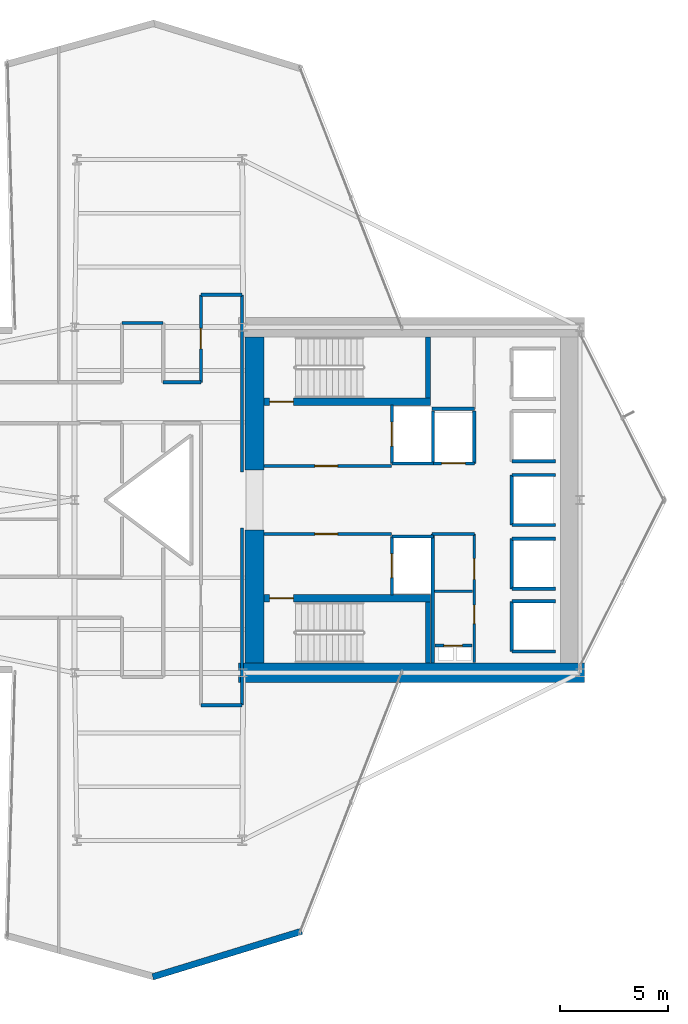
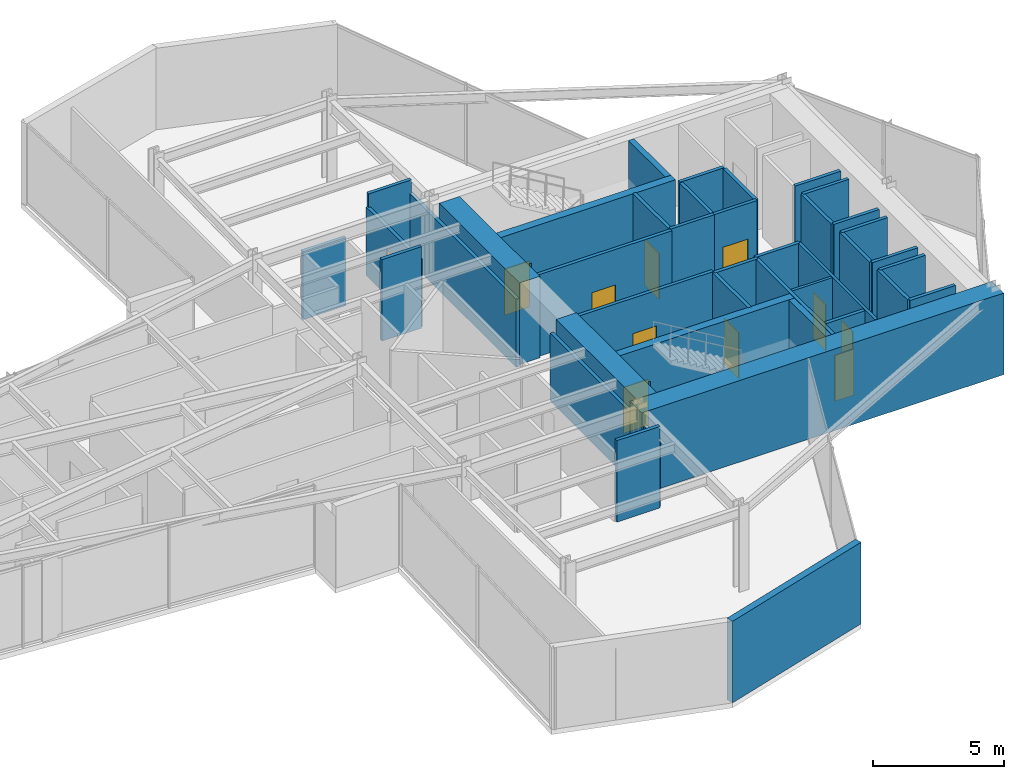
# One storey, part 28 of 30: 40 walls, 11 doors, 11 openings.
"""IFC4 building model written with IfcOpenShell, lengths in metres."""

from ifc_helpers import new_model, si_unit, direction, frame, frame_2d, origin, place, context, subcontext, project, spatial, rectangle, extrude, material, layer, layer_set, type_object, element, fill, save


model = new_model("IFC4")

# Units and contexts
model_context = context("Model", 3, precision=1e-05, world=origin(), true_north=direction((0.0, 1.0)))
body_context = subcontext(model_context, "Body", "Model", "MODEL_VIEW")
ifc_project = project(units=[si_unit("LENGTHUNIT", "METRE"), si_unit("AREAUNIT", "SQUARE_METRE"), si_unit("VOLUMEUNIT", "CUBIC_METRE"), si_unit("PLANEANGLEUNIT", "RADIAN"), si_unit("MASSUNIT", "GRAM", prefix="KILO")], contexts=[model_context])

# Site, building, storey
site_placement = place(None, origin())
site = spatial("IfcSite", under=ifc_project, at=site_placement, CompositionType="ELEMENT")
building_placement = place(site_placement, origin())
building = spatial("IfcBuilding", under=site, at=building_placement, Name="Veymaron Broadcast Tower", CompositionType="ELEMENT")
storey_placement = place(building_placement, frame((0.0, 0.0, 49.949951171875)))
storey = spatial("IfcBuildingStorey", under=building, at=storey_placement, Name="L10", CompositionType="ELEMENT", Elevation=49.949951171875)

# Wall
ifc_material_1 = material(Name="Precast concrete C40/50 with mineral-wool insulation", Category="concrete")
ifc_layer_1 = layer(ifc_material_1, 0.300048828125)
ifc_layer_set_1 = layer_set([ifc_layer_1], Name="Precast concrete C40/50 with mineral-wool insulation")
wall_type_1 = type_object("IfcWallType", Name="WALL-EXT-300", PredefinedType="STANDARD", material=ifc_layer_set_1)
wall_1_placement = place(storey_placement, frame((34.81494140625, 1.91796875, 0.0), z_axis=(0.0, 0.0, 1.0), x_axis=(0.956174816369, 0.292796380685, 0.0)))
element("IfcWall", 1, at=wall_1_placement, inside=storey, type_object=wall_type_1, Name="L10 notched corner facade pier 19-1", PredefinedType="STANDARD", context=body_context, shape_type="SweptSolid", body=[
    extrude(rectangle(XDim=7.212646484375, YDim=0.300048828125, at=frame_2d((3.6064453125, 0.0))), origin(), (0.0, 0.0, 1.0), 3.81005859375),
])

# Wall, opening, door
ifc_material_2 = material(Name="Gypsum fireboard and steel stud framing", Category="steel")
ifc_layer_2 = layer(ifc_material_2, 0.14990234375)
ifc_layer_set_2 = layer_set([ifc_layer_2], Name="Gypsum fireboard and steel stud framing")
wall_type_2 = type_object("IfcWallType", Name="WALL-FIRE-150", PredefinedType="PARTITIONING", material=ifc_layer_set_2)
wall_2_placement = place(storey_placement, frame((39.97998046875, 25.574951171875, 0.0), z_axis=(0.0, 0.0, 1.0), x_axis=(1.0, 0.0, 0.0)))
wall_2 = element("IfcWall", 2, at=wall_2_placement, inside=storey, type_object=wall_type_2, Name="L10 partition IW-L10-FFLN-S", PredefinedType="PARTITIONING", context=body_context, shape_type="SweptSolid", body=[
    extrude(rectangle(XDim=5.89990234375, YDim=0.14990234375, at=frame_2d((2.949951171875, 0.0))), origin(), (0.0, 0.0, 1.0), 3.81005859375),
])
opening_1_placement = place(wall_2_placement, frame((2.35009765625, 0.0, 0.0)))
opening_1 = element("IfcOpeningElement", 3, at=opening_1_placement, cuts=wall_2, Name="Opening ID-FL1", PredefinedType="OPENING", context=body_context, shape_type="SweptSolid", body=[
    extrude(rectangle(XDim=1.050048828125, YDim=2.14990234375, at=frame_2d((0.52490234375, 1.074951171875))), frame((0.0, 0.0849609375, 0.0), z_axis=(0.0, -1.0, 0.0), x_axis=(1.0, 0.0, 0.0)), (0.0, 0.0, 1.0), 0.169921875),
])
ifc_material_3 = material(Name="Fire-rated painted hollow steel ASTM A653", Category="steel")
door_type_1 = type_object("IfcDoorType", Name="DOOR-FIRE-1050", OperationType="NOTDEFINED", PredefinedType="DOOR", material=ifc_material_3)
door_1_placement = place(opening_1_placement, origin())
door_1 = element("IfcDoor", 4, at=door_1_placement, inside=storey, type_object=door_type_1, Name="L10 door DR-L10-FFLN", OperationType="SINGLE_SWING_LEFT", OverallHeight=2.14990234375, OverallWidth=1.050048828125, PredefinedType="DOOR", context=body_context, shape_type="SweptSolid", body=[
    extrude(rectangle(XDim=1.050048828125, YDim=2.14990234375, at=frame_2d((0.52490234375, 1.074951171875))), frame((0.0, 0.02490234375, 0.0), z_axis=(0.0, -1.0, 0.0), x_axis=(1.0, 0.0, 0.0)), (0.0, 0.0, 1.0), 0.050048828125),
])
fill(opening_1, door_1)

wall_3_placement = place(storey_placement, frame((39.97998046875, 22.425048828125, 0.0), z_axis=(0.0, 0.0, 1.0), x_axis=(1.0, 0.0, 0.0)))
wall_3 = element("IfcWall", 5, at=wall_3_placement, inside=storey, type_object=wall_type_2, Name="L10 partition IW-L10-FFLS-N", PredefinedType="PARTITIONING", context=body_context, shape_type="SweptSolid", body=[
    extrude(rectangle(XDim=5.89990234375, YDim=0.14990234375, at=frame_2d((2.949951171875, 0.0))), origin(), (0.0, 0.0, 1.0), 3.81005859375),
])
opening_2_placement = place(wall_3_placement, frame((2.35009765625, 0.0, 0.0)))
opening_2 = element("IfcOpeningElement", 6, at=opening_2_placement, cuts=wall_3, Name="Opening ID-FL1", PredefinedType="OPENING", context=body_context, shape_type="SweptSolid", body=[
    extrude(rectangle(XDim=1.050048828125, YDim=2.14990234375, at=frame_2d((0.52490234375, 1.074951171875))), frame((0.0, 0.0849609375, 0.0), z_axis=(0.0, -1.0, 0.0), x_axis=(1.0, 0.0, 0.0)), (0.0, 0.0, 1.0), 0.169921875),
])
door_2_placement = place(opening_2_placement, frame((1.050048828125, 0.0, 0.0), z_axis=(0.0, 0.0, 1.0), x_axis=(-1.0, 0.0, 0.0)))
door_2 = element("IfcDoor", 7, at=door_2_placement, inside=storey, type_object=door_type_1, Name="L10 door DR-L10-FFLS", OperationType="SINGLE_SWING_RIGHT", OverallHeight=2.14990234375, OverallWidth=1.050048828125, PredefinedType="DOOR", context=body_context, shape_type="SweptSolid", body=[
    extrude(rectangle(XDim=1.050048828125, YDim=2.14990234375, at=frame_2d((0.52490234375, 1.074951171875))), frame((0.0, 0.02490234375, 0.0), z_axis=(0.0, -1.0, 0.0), x_axis=(1.0, 0.0, 0.0)), (0.0, 0.0, 1.0), 0.050048828125),
])
fill(opening_2, door_2)

wall_4_placement = place(storey_placement, frame((45.89501953125, 25.68994140625, 0.0), z_axis=(0.0, 0.0, 1.0), x_axis=(0.0, 1.0, 0.0)))
wall_4 = element("IfcWall", 8, at=wall_4_placement, inside=storey, type_object=wall_type_2, Name="L10 partition IW-L10-SHW-FFL-1", PredefinedType="PARTITIONING", context=body_context, shape_type="SweptSolid", body=[
    extrude(rectangle(XDim=2.719970703125, YDim=0.14990234375, at=frame_2d((1.35986328125, 0.0))), origin(), (0.0, 0.0, 1.0), 3.81005859375),
])
opening_3_placement = place(wall_4_placement, frame((0.81005859375, 0.0, 0.0)))
opening_3 = element("IfcOpeningElement", 9, at=opening_3_placement, cuts=wall_4, Name="Opening LD", PredefinedType="OPENING", context=body_context, shape_type="SweptSolid", body=[
    extrude(rectangle(XDim=1.10009765625, YDim=2.14990234375, at=frame_2d((0.550048828125, 1.074951171875))), frame((0.0, 0.0849609375, 0.0), z_axis=(0.0, -1.0, 0.0), x_axis=(1.0, 0.0, 0.0)), (0.0, 0.0, 1.0), 0.169921875),
])
ifc_material_4 = material(Name="Brushed stainless steel AISI 304", Category="steel")
door_type_2 = type_object("IfcDoorType", Name="DOOR-LIFT-1100", OperationType="DOUBLE_DOOR_SLIDING", PredefinedType="DOOR", material=ifc_material_4)
door_3_placement = place(opening_3_placement, frame((1.10009765625, 0.0, 0.0), z_axis=(0.0, 0.0, 1.0), x_axis=(-1.0, 0.0, 0.0)))
door_3 = element("IfcDoor", 10, at=door_3_placement, inside=storey, type_object=door_type_2, Name="L10 door LD-L10-FFL-1", OperationType="DOUBLE_DOOR_SLIDING", OverallHeight=2.14990234375, OverallWidth=1.10009765625, PredefinedType="DOOR", context=body_context, shape_type="SweptSolid", body=[
    extrude(rectangle(XDim=1.10009765625, YDim=2.14990234375, at=frame_2d((0.550048828125, 1.074951171875))), frame((0.0, 0.02490234375, 0.0), z_axis=(0.0, -1.0, 0.0), x_axis=(1.0, 0.0, 0.0)), (0.0, 0.0, 1.0), 0.050048828125),
])
fill(opening_3, door_3)

# Wall
wall_5_placement = place(storey_placement, frame((45.89501953125, 25.68994140625, 0.0), z_axis=(0.0, 0.0, 1.0), x_axis=(1.0, 0.0, 0.0)))
element("IfcWall", 11, at=wall_5_placement, inside=storey, type_object=wall_type_2, Name="L10 partition IW-L10-SHS-FFL-1", PredefinedType="PARTITIONING", context=body_context, shape_type="SweptSolid", body=[
    extrude(rectangle(XDim=1.9150390625, YDim=0.14990234375, at=frame_2d((0.95751953125, 0.0))), origin(), (0.0, 0.0, 1.0), 3.81005859375),
])

# Wall, opening, door
wall_6_placement = place(storey_placement, frame((45.89501953125, 19.590087890625, 0.0), z_axis=(0.0, 0.0, 1.0), x_axis=(0.0, 1.0, 0.0)))
wall_6 = element("IfcWall", 12, at=wall_6_placement, inside=storey, type_object=wall_type_2, Name="L10 partition IW-L10-SHW-FFL-2", PredefinedType="PARTITIONING", context=body_context, shape_type="SweptSolid", body=[
    extrude(rectangle(XDim=2.719970703125, YDim=0.14990234375, at=frame_2d((1.35986328125, 0.0))), origin(), (0.0, 0.0, 1.0), 3.81005859375),
])
opening_4_placement = place(wall_6_placement, frame((0.81005859375, 0.0, 0.0)))
opening_4 = element("IfcOpeningElement", 13, at=opening_4_placement, cuts=wall_6, Name="Opening LD", PredefinedType="OPENING", context=body_context, shape_type="SweptSolid", body=[
    extrude(rectangle(XDim=1.10009765625, YDim=2.14990234375, at=frame_2d((0.550048828125, 1.074951171875))), frame((0.0, 0.0849609375, 0.0), z_axis=(0.0, -1.0, 0.0), x_axis=(1.0, 0.0, 0.0)), (0.0, 0.0, 1.0), 0.169921875),
])
door_4_placement = place(opening_4_placement, frame((1.10009765625, 0.0, 0.0), z_axis=(0.0, 0.0, 1.0), x_axis=(-1.0, 0.0, 0.0)))
door_4 = element("IfcDoor", 14, at=door_4_placement, inside=storey, type_object=door_type_2, Name="L10 door LD-L10-FFL-2", OperationType="DOUBLE_DOOR_SLIDING", OverallHeight=2.14990234375, OverallWidth=1.10009765625, PredefinedType="DOOR", context=body_context, shape_type="SweptSolid", body=[
    extrude(rectangle(XDim=1.10009765625, YDim=2.14990234375, at=frame_2d((0.550048828125, 1.074951171875))), frame((0.0, 0.02490234375, 0.0), z_axis=(0.0, -1.0, 0.0), x_axis=(1.0, 0.0, 0.0)), (0.0, 0.0, 1.0), 0.050048828125),
])
fill(opening_4, door_4)

# Wall
wall_7_placement = place(storey_placement, frame((45.89501953125, 22.31005859375, 0.0), z_axis=(0.0, 0.0, 1.0), x_axis=(1.0, 0.0, 0.0)))
element("IfcWall", 15, at=wall_7_placement, inside=storey, type_object=wall_type_2, Name="L10 partition IW-L10-SHN-FFL-2", PredefinedType="PARTITIONING", context=body_context, shape_type="SweptSolid", body=[
    extrude(rectangle(XDim=1.9150390625, YDim=0.14990234375, at=frame_2d((0.95751953125, 0.0))), origin(), (0.0, 0.0, 1.0), 3.81005859375),
])

# Wall, opening, door
wall_8_placement = place(storey_placement, frame((47.7900390625, 25.695068359375, 0.0), z_axis=(0.0, 0.0, 1.0), x_axis=(1.0, 0.0, 0.0)))
wall_8 = element("IfcWall", 16, at=wall_8_placement, inside=storey, type_object=wall_type_2, Name="L10 partition IW-L10-SHS-SL-1", PredefinedType="PARTITIONING", context=body_context, shape_type="SweptSolid", body=[
    extrude(rectangle(XDim=1.919921875, YDim=0.14990234375, at=frame_2d((0.9599609375, 0.0))), origin(), (0.0, 0.0, 1.0), 3.81005859375),
])
opening_5_placement = place(wall_8_placement, frame((0.409912109375, 0.0, 0.0)))
opening_5 = element("IfcOpeningElement", 17, at=opening_5_placement, cuts=wall_8, Name="Opening LD", PredefinedType="OPENING", context=body_context, shape_type="SweptSolid", body=[
    extrude(rectangle(XDim=1.10009765625, YDim=2.14990234375, at=frame_2d((0.550048828125, 1.074951171875))), frame((0.0, 0.0849609375, 0.0), z_axis=(0.0, -1.0, 0.0), x_axis=(1.0, 0.0, 0.0)), (0.0, 0.0, 1.0), 0.169921875),
])
door_5_placement = place(opening_5_placement, frame((1.10009765625, 0.0, 0.0), z_axis=(0.0, 0.0, 1.0), x_axis=(-1.0, 0.0, 0.0)))
door_5 = element("IfcDoor", 18, at=door_5_placement, inside=storey, type_object=door_type_2, Name="L10 door LD-L10-SL-1", OperationType="DOUBLE_DOOR_SLIDING", OverallHeight=2.14990234375, OverallWidth=1.10009765625, PredefinedType="DOOR", context=body_context, shape_type="SweptSolid", body=[
    extrude(rectangle(XDim=1.10009765625, YDim=2.14990234375, at=frame_2d((0.550048828125, 1.074951171875))), frame((0.0, 0.02490234375, 0.0), z_axis=(0.0, -1.0, 0.0), x_axis=(1.0, 0.0, 0.0)), (0.0, 0.0, 1.0), 0.050048828125),
])
fill(opening_5, door_5)

# Walls
for number, where, z_axis, x_axis, name in (
    (19, (47.7900390625, 25.695068359375, 0.0), (0.0, 0.0, 1.0), (0.0, 1.0, 0.0), "L10 partition IW-L10-SHW-SL-1"),
    (20, (49.7099609375, 25.695068359375, 0.0), (0.0, 0.0, 1.0), (0.0, 1.0, 0.0), "L10 partition IW-L10-SHE-SL-1"),
):
    element("IfcWall", number, at=place(storey_placement, frame(where, z_axis=z_axis, x_axis=x_axis)), inside=storey, type_object=wall_type_2, Name=name, PredefinedType="PARTITIONING", context=body_context, shape_type="SweptSolid", body=[
        extrude(rectangle(XDim=2.4150390625, YDim=0.14990234375, at=frame_2d((1.20751953125, 0.0))), origin(), (0.0, 0.0, 1.0), 3.81005859375),
    ])
wall_9_placement = place(storey_placement, frame((51.445068359375, 25.7900390625, 0.0), z_axis=(0.0, 0.0, 1.0), x_axis=(1.0, 0.0, 0.0)))
element("IfcWall", 21, at=wall_9_placement, inside=storey, type_object=wall_type_2, Name="L10 partition IW-L10-SHS-PM1", PredefinedType="PARTITIONING", context=body_context, shape_type="SweptSolid", body=[
    extrude(rectangle(XDim=2.014892578125, YDim=0.14990234375, at=frame_2d((1.00732421875, 0.0))), origin(), (0.0, 0.0, 1.0), 3.81005859375),
])
wall_10_placement = place(storey_placement, frame((51.445068359375, 19.889892578125, 0.0), z_axis=(0.0, 0.0, 1.0), x_axis=(0.0, 1.0, 0.0)))
element("IfcWall", 22, at=wall_10_placement, inside=storey, type_object=wall_type_2, Name="L10 partition IW-L10-SHW-PM2", PredefinedType="PARTITIONING", context=body_context, shape_type="SweptSolid", body=[
    extrude(rectangle(XDim=2.320068359375, YDim=0.14990234375, at=frame_2d((1.16015625, 0.0))), origin(), (0.0, 0.0, 1.0), 3.81005859375),
])
for number, where, z_axis, x_axis, name in (
    (23, (51.445068359375, 19.889892578125, 0.0), (0.0, 0.0, 1.0), (1.0, 0.0, 0.0), "L10 partition IW-L10-SHS-PM2"),
    (24, (51.445068359375, 22.2099609375, 0.0), (0.0, 0.0, 1.0), (1.0, 0.0, 0.0), "L10 partition IW-L10-SHN-PM2"),
):
    element("IfcWall", number, at=place(storey_placement, frame(where, z_axis=z_axis, x_axis=x_axis)), inside=storey, type_object=wall_type_2, Name=name, PredefinedType="PARTITIONING", context=body_context, shape_type="SweptSolid", body=[
        extrude(rectangle(XDim=2.014892578125, YDim=0.14990234375, at=frame_2d((1.00732421875, 0.0))), origin(), (0.0, 0.0, 1.0), 3.81005859375),
    ])
wall_11_placement = place(storey_placement, frame((51.445068359375, 22.840087890625, 0.0), z_axis=(0.0, 0.0, 1.0), x_axis=(0.0, 1.0, 0.0)))
element("IfcWall", 25, at=wall_11_placement, inside=storey, type_object=wall_type_2, Name="L10 partition IW-L10-SHW-PM3", PredefinedType="PARTITIONING", context=body_context, shape_type="SweptSolid", body=[
    extrude(rectangle(XDim=2.31982421875, YDim=0.14990234375, at=frame_2d((1.159912109375, 0.0))), origin(), (0.0, 0.0, 1.0), 3.81005859375),
])
for number, where, z_axis, x_axis, name in (
    (26, (51.445068359375, 22.840087890625, 0.0), (0.0, 0.0, 1.0), (1.0, 0.0, 0.0), "L10 partition IW-L10-SHS-PM3"),
    (27, (51.445068359375, 25.159912109375, 0.0), (0.0, 0.0, 1.0), (1.0, 0.0, 0.0), "L10 partition IW-L10-SHN-PM3"),
):
    element("IfcWall", number, at=place(storey_placement, frame(where, z_axis=z_axis, x_axis=x_axis)), inside=storey, type_object=wall_type_2, Name=name, PredefinedType="PARTITIONING", context=body_context, shape_type="SweptSolid", body=[
        extrude(rectangle(XDim=2.014892578125, YDim=0.14990234375, at=frame_2d((1.00732421875, 0.0))), origin(), (0.0, 0.0, 1.0), 3.81005859375),
    ])
wall_12_placement = place(storey_placement, frame((51.445068359375, 16.989990234375, 0.0), z_axis=(0.0, 0.0, 1.0), x_axis=(0.0, 1.0, 0.0)))
element("IfcWall", 28, at=wall_12_placement, inside=storey, type_object=wall_type_2, Name="L10 partition IW-L10-SHW-PH1", PredefinedType="PARTITIONING", context=body_context, shape_type="SweptSolid", body=[
    extrude(rectangle(XDim=2.320068359375, YDim=0.14990234375, at=frame_2d((1.16015625, 0.0))), origin(), (0.0, 0.0, 1.0), 3.81005859375),
])
for number, where, z_axis, x_axis, name in (
    (29, (51.445068359375, 16.989990234375, 0.0), (0.0, 0.0, 1.0), (1.0, 0.0, 0.0), "L10 partition IW-L10-SHS-PH1"),
    (30, (51.445068359375, 19.31005859375, 0.0), (0.0, 0.0, 1.0), (1.0, 0.0, 0.0), "L10 partition IW-L10-SHN-PH1"),
):
    element("IfcWall", number, at=place(storey_placement, frame(where, z_axis=z_axis, x_axis=x_axis)), inside=storey, type_object=wall_type_2, Name=name, PredefinedType="PARTITIONING", context=body_context, shape_type="SweptSolid", body=[
        extrude(rectangle(XDim=2.014892578125, YDim=0.14990234375, at=frame_2d((1.00732421875, 0.0))), origin(), (0.0, 0.0, 1.0), 3.81005859375),
    ])

# Wall, opening, door
wall_13_placement = place(storey_placement, frame((47.8798828125, 17.260009765625, 0.0), z_axis=(0.0, 0.0, 1.0), x_axis=(1.0, 0.0, 0.0)))
wall_13 = element("IfcWall", 31, at=wall_13_placement, inside=storey, type_object=wall_type_2, Name="L10 partition IW-L10-RIS-N", PredefinedType="PARTITIONING", context=body_context, shape_type="SweptSolid", body=[
    extrude(rectangle(XDim=1.72021484375, YDim=0.14990234375, at=frame_2d((0.860107421875, 0.0))), origin(), (0.0, 0.0, 1.0), 3.81005859375),
])
opening_6_placement = place(wall_13_placement, frame((0.419921875, 0.0, 0.0)))
opening_6 = element("IfcOpeningElement", 32, at=opening_6_placement, cuts=wall_13, Name="Opening ID-RS1", PredefinedType="OPENING", context=body_context, shape_type="SweptSolid", body=[
    extrude(rectangle(XDim=0.85009765625, YDim=2.14990234375, at=frame_2d((0.425048828125, 1.074951171875))), frame((0.0, 0.0849609375, 0.0), z_axis=(0.0, -1.0, 0.0), x_axis=(1.0, 0.0, 0.0)), (0.0, 0.0, 1.0), 0.169921875),
])
ifc_material_5 = material(Name="Fire-rated powder-coated steel riser leaf", Category="steel")
door_type_3 = type_object("IfcDoorType", Name="DOOR-RIS-850", OperationType="NOTDEFINED", PredefinedType="TRAPDOOR", material=ifc_material_5)
door_6_placement = place(opening_6_placement, origin())
door_6 = element("IfcDoor", 33, at=door_6_placement, inside=storey, type_object=door_type_3, Name="L10 door DR-L10-RIS", OperationType="SINGLE_SWING_LEFT", OverallHeight=2.14990234375, OverallWidth=0.85009765625, PredefinedType="TRAPDOOR", context=body_context, shape_type="SweptSolid", body=[
    extrude(rectangle(XDim=0.85009765625, YDim=2.14990234375, at=frame_2d((0.425048828125, 1.074951171875))), frame((0.0, 0.02490234375, 0.0), z_axis=(0.0, -1.0, 0.0), x_axis=(1.0, 0.0, 0.0)), (0.0, 0.0, 1.0), 0.050048828125),
])
fill(opening_6, door_6)

# Walls
wall_14_placement = place(storey_placement, frame((47.760009765625, 22.425048828125, 0.0), z_axis=(0.0, 0.0, 1.0), x_axis=(1.0, 0.0, 0.0)))
element("IfcWall", 34, at=wall_14_placement, inside=storey, type_object=wall_type_2, Name="L10 partition IW-L10-SM-N", PredefinedType="PARTITIONING", context=body_context, shape_type="SweptSolid", body=[
    extrude(rectangle(XDim=1.9599609375, YDim=0.14990234375, at=frame_2d((0.97998046875, 0.0))), origin(), (0.0, 0.0, 1.0), 3.81005859375),
])
wall_15_placement = place(storey_placement, frame((47.780029296875, 16.449951171875, 0.0), z_axis=(0.0, 0.0, 1.0), x_axis=(0.0, 1.0, 0.0)))
element("IfcWall", 35, at=wall_15_placement, inside=storey, type_object=wall_type_2, Name="L10 partition IW-L10-SM-W", PredefinedType="PARTITIONING", context=body_context, shape_type="SweptSolid", body=[
    extrude(rectangle(XDim=5.97509765625, YDim=0.14990234375, at=frame_2d((2.987548828125, 0.0))), origin(), (0.0, 0.0, 1.0), 3.81005859375),
])
wall_16_placement = place(storey_placement, frame((47.760009765625, 28.219970703125, 0.0), z_axis=(0.0, 0.0, 1.0), x_axis=(1.0, 0.0, 0.0)))
element("IfcWall", 36, at=wall_16_placement, inside=storey, type_object=wall_type_2, Name="L10 partition IW-L10-NM-S", PredefinedType="PARTITIONING", context=body_context, shape_type="SweptSolid", body=[
    extrude(rectangle(XDim=1.9599609375, YDim=0.14990234375, at=frame_2d((0.97998046875, 0.0))), origin(), (0.0, 0.0, 1.0), 3.81005859375),
])

# Wall, opening, door
wall_17_placement = place(storey_placement, frame((37.050048828125, 29.449951171875, 0.0), z_axis=(0.0, 0.0, 1.0), x_axis=(0.0, 1.0, 0.0)))
wall_17 = element("IfcWall", 37, at=wall_17_placement, inside=storey, type_object=wall_type_2, Name="L10 partition IW-L10-P31", PredefinedType="PARTITIONING", context=body_context, shape_type="SweptSolid", body=[
    extrude(rectangle(XDim=4.050048828125, YDim=0.14990234375, at=frame_2d((2.02490234375, 0.0))), origin(), (0.0, 0.0, 1.0), 3.18115234375),
])
opening_7_placement = place(wall_17_placement, frame((1.550048828125, 0.0, 0.0)))
opening_7 = element("IfcOpeningElement", 38, at=opening_7_placement, cuts=wall_17, Name="Opening ID-RM1", PredefinedType="OPENING", context=body_context, shape_type="SweptSolid", body=[
    extrude(rectangle(XDim=0.949951171875, YDim=2.14990234375, at=frame_2d((0.47509765625, 1.074951171875))), frame((0.0, 0.0849609375, 0.0), z_axis=(0.0, -1.0, 0.0), x_axis=(1.0, 0.0, 0.0)), (0.0, 0.0, 1.0), 0.169921875),
])
ifc_material_6 = material(Name="Acoustic solid-core European oak veneer timber", Category="wood")
door_type_4 = type_object("IfcDoorType", Name="DOOR-INT-950", OperationType="NOTDEFINED", PredefinedType="DOOR", material=ifc_material_6)
door_7_placement = place(opening_7_placement, origin())
door_7 = element("IfcDoor", 39, at=door_7_placement, inside=storey, type_object=door_type_4, Name="L10 door DR-L10-P31", OperationType="SINGLE_SWING_RIGHT", OverallHeight=2.14990234375, OverallWidth=0.949951171875, PredefinedType="DOOR", context=body_context, shape_type="SweptSolid", body=[
    extrude(rectangle(XDim=0.949951171875, YDim=2.14990234375, at=frame_2d((0.47509765625, 1.074951171875))), frame((0.0, 0.02490234375, 0.0), z_axis=(0.0, -1.0, 0.0), x_axis=(1.0, 0.0, 0.0)), (0.0, 0.0, 1.0), 0.050048828125),
])
fill(opening_7, door_7)

# Walls
wall_18_placement = place(storey_placement, frame((38.949951171875, 14.5, 0.0), z_axis=(0.0, 0.0, 1.0), x_axis=(0.0, 1.0, 0.0)))
element("IfcWall", 40, at=wall_18_placement, inside=storey, type_object=wall_type_2, Name="L10 partition IW-L10-P02", PredefinedType="PARTITIONING", context=body_context, shape_type="SweptSolid", body=[
    extrude(rectangle(XDim=8.199951171875, YDim=0.14990234375, at=frame_2d((4.10009765625, 0.0))), origin(), (0.0, 0.0, 1.0), 3.18115234375),
])
wall_19_placement = place(storey_placement, frame((37.050048828125, 14.5, 0.0), z_axis=(0.0, 0.0, 1.0), x_axis=(1.0, 0.0, 0.0)))
element("IfcWall", 41, at=wall_19_placement, inside=storey, type_object=wall_type_2, Name="L10 partition IW-L10-P06", PredefinedType="PARTITIONING", context=body_context, shape_type="SweptSolid", body=[
    extrude(rectangle(XDim=1.89990234375, YDim=0.14990234375, at=frame_2d((0.949951171875, 0.0))), origin(), (0.0, 0.0, 1.0), 3.81005859375),
])
wall_20_placement = place(storey_placement, frame((38.949951171875, 25.300048828125, 0.0), z_axis=(0.0, 0.0, 1.0), x_axis=(0.0, 1.0, 0.0)))
element("IfcWall", 42, at=wall_20_placement, inside=storey, type_object=wall_type_2, Name="L10 partition IW-L10-P30", PredefinedType="PARTITIONING", context=body_context, shape_type="SweptSolid", body=[
    extrude(rectangle(XDim=8.199951171875, YDim=0.14990234375, at=frame_2d((4.10009765625, 0.0))), origin(), (0.0, 0.0, 1.0), 3.18115234375),
])
wall_21_placement = place(storey_placement, frame((37.050048828125, 33.5, 0.0), z_axis=(0.0, 0.0, 1.0), x_axis=(1.0, 0.0, 0.0)))
element("IfcWall", 43, at=wall_21_placement, inside=storey, type_object=wall_type_2, Name="L10 partition IW-L10-P35", PredefinedType="PARTITIONING", context=body_context, shape_type="SweptSolid", body=[
    extrude(rectangle(XDim=1.89990234375, YDim=0.14990234375, at=frame_2d((0.949951171875, 0.0))), origin(), (0.0, 0.0, 1.0), 3.81005859375),
])
wall_22_placement = place(storey_placement, frame((33.39990234375, 32.199951171875, 0.0), z_axis=(0.0, 0.0, 1.0), x_axis=(1.0, 0.0, 0.0)))
element("IfcWall", 44, at=wall_22_placement, inside=storey, type_object=wall_type_2, Name="L10 partition IW-L10-P36", PredefinedType="PARTITIONING", context=body_context, shape_type="SweptSolid", body=[
    extrude(rectangle(XDim=1.900146484375, YDim=0.14990234375, at=frame_2d((0.9501953125, 0.0))), origin(), (0.0, 0.0, 1.0), 3.18115234375),
])
wall_23_placement = place(storey_placement, frame((35.300048828125, 29.449951171875, 0.0), z_axis=(0.0, 0.0, 1.0), x_axis=(1.0, 0.0, 0.0)))
element("IfcWall", 45, at=wall_23_placement, inside=storey, type_object=wall_type_2, Name="L10 partition IW-L10-P37", PredefinedType="PARTITIONING", context=body_context, shape_type="SweptSolid", body=[
    extrude(rectangle(XDim=1.75, YDim=0.14990234375, at=frame_2d((0.875, 0.0))), origin(), (0.0, 0.0, 1.0), 3.81005859375),
])
ifc_material_7 = material(Name="Acoustic gypsum board and galvanized stud", Category="gypsum")
ifc_layer_3 = layer(ifc_material_7, 0.1201171875)
ifc_layer_set_3 = layer_set([ifc_layer_3], Name="Acoustic gypsum board and galvanized stud")
wall_type_3 = type_object("IfcWallType", Name="WALL-PART-120", PredefinedType="PARTITIONING", material=ifc_layer_set_3)
wall_24_placement = place(storey_placement, frame((47.860107421875, 19.780029296875, 0.0), z_axis=(0.0, 0.0, 1.0), x_axis=(1.0, 0.0, 0.0)))
element("IfcWall", 46, at=wall_24_placement, inside=storey, type_object=wall_type_3, Name="L10 partition IW-L10-SM-DIV", PredefinedType="PARTITIONING", context=body_context, shape_type="SweptSolid", body=[
    extrude(rectangle(XDim=1.760009765625, YDim=0.1201171875, at=frame_2d((0.8798828125, 0.0))), origin(), (0.0, 0.0, 1.0), 3.81005859375),
])

# Wall, openings, doors
wall_25_placement = place(storey_placement, frame((49.699951171875, 16.47998046875, 0.0), z_axis=(0.0, 0.0, 1.0), x_axis=(0.0, 1.0, 0.0)))
wall_25 = element("IfcWall", 47, at=wall_25_placement, inside=storey, type_object=wall_type_3, Name="L10 partition IW-L10-SM-E", PredefinedType="PARTITIONING", context=body_context, shape_type="SweptSolid", body=[
    extrude(rectangle(XDim=5.945068359375, YDim=0.1201171875, at=frame_2d((2.97265625, 0.0))), origin(), (0.0, 0.0, 1.0), 3.81005859375),
])
opening_8_placement = place(wall_25_placement, frame((1.800048828125, 0.0, 0.0)))
opening_8 = element("IfcOpeningElement", 48, at=opening_8_placement, cuts=wall_25, Name="Opening ID-WC1", PredefinedType="OPENING", context=body_context, shape_type="SweptSolid", body=[
    extrude(rectangle(XDim=0.85009765625, YDim=2.14990234375, at=frame_2d((0.425048828125, 1.074951171875))), frame((0.0, 0.070068359375, 0.0), z_axis=(0.0, -1.0, 0.0), x_axis=(1.0, 0.0, 0.0)), (0.0, 0.0, 1.0), 0.14013671875),
])
opening_9_placement = place(wall_25_placement, frame((3.85009765625, 0.0, 0.0)))
opening_9 = element("IfcOpeningElement", 49, at=opening_9_placement, cuts=wall_25, Name="Opening ID-RM1", PredefinedType="OPENING", context=body_context, shape_type="SweptSolid", body=[
    extrude(rectangle(XDim=0.949951171875, YDim=2.14990234375, at=frame_2d((0.47509765625, 1.074951171875))), frame((0.0, 0.070068359375, 0.0), z_axis=(0.0, -1.0, 0.0), x_axis=(1.0, 0.0, 0.0)), (0.0, 0.0, 1.0), 0.14013671875),
])
ifc_material_8 = material(Name="Moisture-resistant high-pressure laminate timber", Category="wood")
door_type_5 = type_object("IfcDoorType", Name="DOOR-INT-850", OperationType="NOTDEFINED", PredefinedType="DOOR", material=ifc_material_8)
door_8_placement = place(opening_8_placement, frame((0.85009765625, 0.0, 0.0), z_axis=(0.0, 0.0, 1.0), x_axis=(-1.0, 0.0, 0.0)))
door_8 = element("IfcDoor", 50, at=door_8_placement, inside=storey, type_object=door_type_5, Name="L10 door DR-L10-SWC", OperationType="SINGLE_SWING_LEFT", OverallHeight=2.14990234375, OverallWidth=0.85009765625, PredefinedType="DOOR", context=body_context, shape_type="SweptSolid", body=[
    extrude(rectangle(XDim=0.85009765625, YDim=2.14990234375, at=frame_2d((0.425048828125, 1.074951171875))), frame((0.0, 0.02490234375, 0.0), z_axis=(0.0, -1.0, 0.0), x_axis=(1.0, 0.0, 0.0)), (0.0, 0.0, 1.0), 0.050048828125),
])
fill(opening_8, door_8)
door_9_placement = place(opening_9_placement, frame((0.949951171875, 0.0, 0.0), z_axis=(0.0, 0.0, 1.0), x_axis=(-1.0, 0.0, 0.0)))
door_9 = element("IfcDoor", 51, at=door_9_placement, inside=storey, type_object=door_type_4, Name="L10 door DR-L10-AWC", OperationType="SINGLE_SWING_RIGHT", OverallHeight=2.14990234375, OverallWidth=0.949951171875, PredefinedType="DOOR", context=body_context, shape_type="SweptSolid", body=[
    extrude(rectangle(XDim=0.949951171875, YDim=2.14990234375, at=frame_2d((0.47509765625, 1.074951171875))), frame((0.0, 0.02490234375, 0.0), z_axis=(0.0, -1.0, 0.0), x_axis=(1.0, 0.0, 0.0)), (0.0, 0.0, 1.0), 0.050048828125),
])
fill(opening_9, door_9)

# Walls
ifc_material_9 = material(Name="Concrete C50/60", Category="concrete")
ifc_layer_4 = layer(ifc_material_9, 0.25)
ifc_layer_set_4 = layer_set([ifc_layer_4], Name="Concrete C50/60")
wall_type_4 = type_object("IfcWallType", Name="WALL-SHEAR-250", PredefinedType="SHEAR", material=ifc_layer_set_4)
for number, where, z_axis, x_axis, name in (
    (52, (47.56494140625, 28.72998046875, 0.0), (0.0, 0.0, 1.0), (0.0, 1.0, 0.0), "L10 Core Wall north stair east shear"),
    (53, (47.56494140625, 16.449951171875, 0.0), (0.0, 0.0, 1.0), (0.0, 1.0, 0.0), "L10 Core Wall south stair east shear"),
):
    element("IfcWall", number, at=place(storey_placement, frame(where, z_axis=z_axis, x_axis=x_axis)), inside=storey, type_object=wall_type_4, Name=name, PredefinedType="SHEAR", context=body_context, shape_type="SweptSolid", body=[
        extrude(rectangle(XDim=2.820068359375, YDim=0.25, at=frame_2d((1.41015625, 0.0))), origin(), (0.0, 0.0, 1.0), 3.81005859375),
    ])

# Wall, opening, door
ifc_layer_5 = layer(ifc_material_9, 0.35009765625)
ifc_layer_set_5 = layer_set([ifc_layer_5], Name="Concrete C50/60")
wall_type_5 = type_object("IfcWallType", Name="WALL-SHEAR-350", PredefinedType="SHEAR", material=ifc_layer_set_5)
wall_26_placement = place(storey_placement, frame((39.97998046875, 28.554931640625, 0.0), z_axis=(0.0, 0.0, 1.0), x_axis=(1.0, 0.0, 0.0)))
wall_26 = element("IfcWall", 54, at=wall_26_placement, inside=storey, type_object=wall_type_5, Name="L10 Core Wall north stair spine", PredefinedType="SHEAR", context=body_context, shape_type="SweptSolid", body=[
    extrude(rectangle(XDim=7.7099609375, YDim=0.35009765625, at=frame_2d((3.85498046875, 0.0))), origin(), (0.0, 0.0, 1.0), 3.81005859375),
])
opening_10_placement = place(wall_26_placement, frame((0.25, 0.0, 0.0)))
opening_10 = element("IfcOpeningElement", 55, at=opening_10_placement, cuts=wall_26, Name="Opening ID-ST1", PredefinedType="OPENING", context=body_context, shape_type="SweptSolid", body=[
    extrude(rectangle(XDim=1.10009765625, YDim=2.14990234375, at=frame_2d((0.550048828125, 1.074951171875))), frame((0.0, 0.18505859375, 0.0), z_axis=(0.0, -1.0, 0.0), x_axis=(1.0, 0.0, 0.0)), (0.0, 0.0, 1.0), 0.3701171875),
])
door_type_6 = type_object("IfcDoorType", Name="DOOR-STAIR-1100", OperationType="NOTDEFINED", PredefinedType="DOOR", material=ifc_material_3)
door_10_placement = place(opening_10_placement, origin())
door_10 = element("IfcDoor", 56, at=door_10_placement, inside=storey, type_object=door_type_6, Name="L10 exit stair ST1 fire door", OperationType="SINGLE_SWING_LEFT", OverallHeight=2.14990234375, OverallWidth=1.10009765625, PredefinedType="DOOR", context=body_context, shape_type="SweptSolid", body=[
    extrude(rectangle(XDim=1.10009765625, YDim=2.14990234375, at=frame_2d((0.550048828125, 1.074951171875))), frame((0.0, 0.02490234375, 0.0), z_axis=(0.0, -1.0, 0.0), x_axis=(1.0, 0.0, 0.0)), (0.0, 0.0, 1.0), 0.050048828125),
])
fill(opening_10, door_10)

wall_27_placement = place(storey_placement, frame((39.97998046875, 19.445068359375, 0.0), z_axis=(0.0, 0.0, 1.0), x_axis=(1.0, 0.0, 0.0)))
wall_27 = element("IfcWall", 57, at=wall_27_placement, inside=storey, type_object=wall_type_5, Name="L10 Core Wall south stair spine", PredefinedType="SHEAR", context=body_context, shape_type="SweptSolid", body=[
    extrude(rectangle(XDim=7.7099609375, YDim=0.35009765625, at=frame_2d((3.85498046875, 0.0))), origin(), (0.0, 0.0, 1.0), 3.81005859375),
])
opening_11_placement = place(wall_27_placement, frame((0.25, 0.0, 0.0)))
opening_11 = element("IfcOpeningElement", 58, at=opening_11_placement, cuts=wall_27, Name="Opening ID-ST1", PredefinedType="OPENING", context=body_context, shape_type="SweptSolid", body=[
    extrude(rectangle(XDim=1.10009765625, YDim=2.14990234375, at=frame_2d((0.550048828125, 1.074951171875))), frame((0.0, 0.18505859375, 0.0), z_axis=(0.0, -1.0, 0.0), x_axis=(1.0, 0.0, 0.0)), (0.0, 0.0, 1.0), 0.3701171875),
])
door_11_placement = place(opening_11_placement, frame((1.10009765625, 0.0, 0.0), z_axis=(0.0, 0.0, 1.0), x_axis=(-1.0, 0.0, 0.0)))
door_11 = element("IfcDoor", 59, at=door_11_placement, inside=storey, type_object=door_type_6, Name="L10 exit stair ST2 fire door", OperationType="SINGLE_SWING_RIGHT", OverallHeight=2.14990234375, OverallWidth=1.10009765625, PredefinedType="DOOR", context=body_context, shape_type="SweptSolid", body=[
    extrude(rectangle(XDim=1.10009765625, YDim=2.14990234375, at=frame_2d((0.550048828125, 1.074951171875))), frame((0.0, 0.02490234375, 0.0), z_axis=(0.0, -1.0, 0.0), x_axis=(1.0, 0.0, 0.0)), (0.0, 0.0, 1.0), 0.050048828125),
])
fill(opening_11, door_11)

# Walls
ifc_material_10 = material(Name="Concrete C70/85", Category="concrete")
ifc_layer_6 = layer(ifc_material_10, 0.89990234375)
ifc_layer_set_6 = layer_set([ifc_layer_6], Name="Concrete C70/85")
wall_type_6 = type_object("IfcWallType", Name="WALL-SHEAR-900", PredefinedType="SHEAR", material=ifc_layer_set_6)
wall_28_placement = place(storey_placement, frame((38.800048828125, 16.0, 0.0), z_axis=(0.0, 0.0, 1.0), x_axis=(1.0, 0.0, 0.0)))
element("IfcWall", 60, at=wall_28_placement, inside=storey, type_object=wall_type_6, Name="L10 Core Wall south shear", PredefinedType="SHEAR", context=body_context, shape_type="SweptSolid", body=[
    extrude(rectangle(XDim=16.0, YDim=0.89990234375, at=frame_2d((8.0, 0.0))), origin(), (0.0, 0.0, 1.0), 3.81005859375),
])
for number, where, z_axis, x_axis, name in (
    (61, (39.530029296875, 16.449951171875, 0.0), (0.0, 0.0, 1.0), (0.0, 1.0, 0.0), "L10 Core Wall west-south shear"),
    (62, (39.530029296875, 25.39990234375, 0.0), (0.0, 0.0, 1.0), (0.0, 1.0, 0.0), "L10 Core Wall west-north shear"),
):
    element("IfcWall", number, at=place(storey_placement, frame(where, z_axis=z_axis, x_axis=x_axis)), inside=storey, type_object=wall_type_6, Name=name, PredefinedType="SHEAR", context=body_context, shape_type="SweptSolid", body=[
        extrude(rectangle(XDim=6.150146484375, YDim=0.89990234375, at=frame_2d((3.0751953125, 0.0))), origin(), (0.0, 0.0, 1.0), 3.81005859375),
    ])

save(model, "model.ifc")
